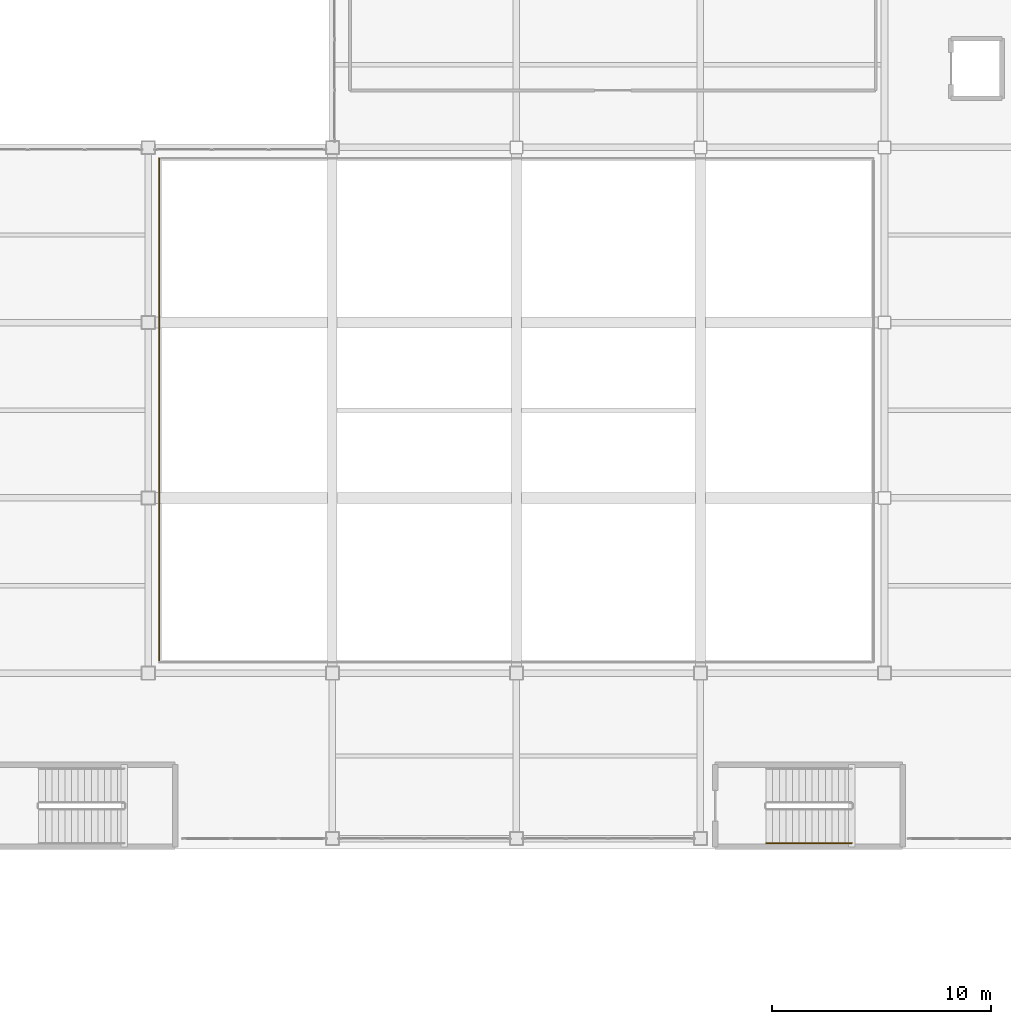
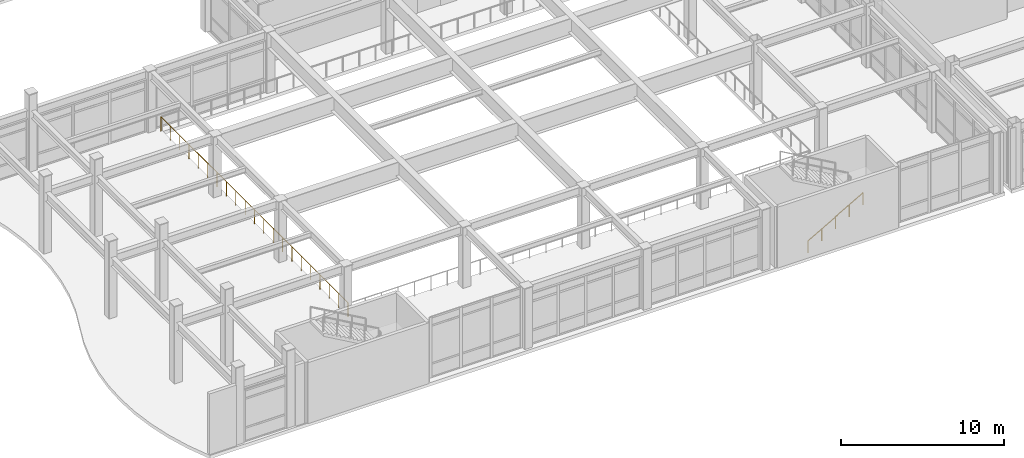
# One storey, part 154 of 172: 2 railings.
"""IFC4 building model written with IfcOpenShell, lengths in metres."""

from ifc_helpers import new_model, si_unit, direction, frame, origin, origin_2d, place, context, subcontext, project, spatial, circle, extrude, material, type_object, element, save


model = new_model("IFC4")

# Units and contexts
model_context = context("Model", 3, precision=1e-05, world=origin(), true_north=direction((0.0, 1.0)))
body_context = subcontext(model_context, "Body", "Model", "MODEL_VIEW")
ifc_project = project(units=[si_unit("LENGTHUNIT", "METRE"), si_unit("AREAUNIT", "SQUARE_METRE"), si_unit("VOLUMEUNIT", "CUBIC_METRE"), si_unit("PLANEANGLEUNIT", "RADIAN"), si_unit("MASSUNIT", "GRAM", prefix="KILO")], contexts=[model_context])

# Site, building, storey
site_placement = place(None, origin())
site = spatial("IfcSite", under=ifc_project, at=site_placement, CompositionType="ELEMENT")
building_placement = place(site_placement, origin())
building = spatial("IfcBuilding", under=site, at=building_placement, Name="Kazehara Bluff Congress Hotel", CompositionType="ELEMENT")
storey_placement = place(building_placement, frame((0.0, 0.0, 5.39990234375)))
storey = spatial("IfcBuildingStorey", under=building, at=storey_placement, Name="L01", CompositionType="ELEMENT", Elevation=5.39990234375)

# Railings
ifc_material_1 = material(Name="Brushed stainless steel", Category="steel")
railing_type_1 = type_object("IfcRailingType", Name="TP-GRD-INT", PredefinedType="GUARDRAIL", material=ifc_material_1)
railing_1_placement = place(storey_placement, frame((17.300048828125, 31.5, 0.0)))
element("IfcRailing", 1, at=railing_1_placement, inside=storey, type_object=railing_type_1, Name="L01 V2-VOID void guardrail W", PredefinedType="GUARDRAIL", context=body_context, shape_type="SweptSolid", body=[
    extrude(circle(Radius=0.02392578125, at=origin_2d()), frame((0.0, 0.0, 1.076171875), z_axis=(0.0, -1.0, 0.0), x_axis=(1.0, 0.0, 0.0)), (0.0, 0.0, 1.0), 22.919921875),
    extrude(circle(Radius=0.02099609375, at=origin_2d()), origin(), (0.0, 0.0, 1.0), 1.052001953125),
    extrude(circle(Radius=0.02099609375, at=origin_2d()), frame((0.0, -1.14599609375, 0.0)), (0.0, 0.0, 1.0), 1.052001953125),
    extrude(circle(Radius=0.02099609375, at=origin_2d()), frame((0.0, -2.2919921875, 0.0)), (0.0, 0.0, 1.0), 1.052001953125),
    extrude(circle(Radius=0.02099609375, at=origin_2d()), frame((0.0, -3.43798828125, 0.0)), (0.0, 0.0, 1.0), 1.052001953125),
    extrude(circle(Radius=0.02099609375, at=origin_2d()), frame((0.0, -4.583984375, 0.0)), (0.0, 0.0, 1.0), 1.052001953125),
    extrude(circle(Radius=0.02099609375, at=origin_2d()), frame((0.0, -5.72998046875, 0.0)), (0.0, 0.0, 1.0), 1.052001953125),
    extrude(circle(Radius=0.02099609375, at=origin_2d()), frame((0.0, -6.8759765625, 0.0)), (0.0, 0.0, 1.0), 1.052001953125),
    extrude(circle(Radius=0.02099609375, at=origin_2d()), frame((0.0, -8.02197265625, 0.0)), (0.0, 0.0, 1.0), 1.052001953125),
    extrude(circle(Radius=0.02099609375, at=origin_2d()), frame((0.0, -9.16796875, 0.0)), (0.0, 0.0, 1.0), 1.052001953125),
    extrude(circle(Radius=0.02099609375, at=origin_2d()), frame((0.0, -10.31396484375, 0.0)), (0.0, 0.0, 1.0), 1.052001953125),
    extrude(circle(Radius=0.02099609375, at=origin_2d()), frame((0.0, -11.4599609375, 0.0)), (0.0, 0.0, 1.0), 1.052001953125),
    extrude(circle(Radius=0.02099609375, at=origin_2d()), frame((0.0, -12.60595703125, 0.0)), (0.0, 0.0, 1.0), 1.052001953125),
    extrude(circle(Radius=0.02099609375, at=origin_2d()), frame((0.0, -13.751953125, 0.0)), (0.0, 0.0, 1.0), 1.052001953125),
    extrude(circle(Radius=0.02099609375, at=origin_2d()), frame((0.0, -14.89794921875, 0.0)), (0.0, 0.0, 1.0), 1.052001953125),
    extrude(circle(Radius=0.02099609375, at=origin_2d()), frame((0.0, -16.0439453125, 0.0)), (0.0, 0.0, 1.0), 1.052001953125),
    extrude(circle(Radius=0.02099609375, at=origin_2d()), frame((0.0, -17.18994140625, 0.0)), (0.0, 0.0, 1.0), 1.052001953125),
    extrude(circle(Radius=0.02099609375, at=origin_2d()), frame((0.0, -18.3359375, 0.0)), (0.0, 0.0, 1.0), 1.052001953125),
    extrude(circle(Radius=0.02099609375, at=origin_2d()), frame((0.0, -19.48193359375, 0.0)), (0.0, 0.0, 1.0), 1.052001953125),
    extrude(circle(Radius=0.02099609375, at=origin_2d()), frame((0.0, -20.6279296875, 0.0)), (0.0, 0.0, 1.0), 1.052001953125),
    extrude(circle(Radius=0.02099609375, at=origin_2d()), frame((0.0, -21.77392578125, 0.0)), (0.0, 0.0, 1.0), 1.052001953125),
    extrude(circle(Radius=0.02099609375, at=origin_2d()), frame((0.0, -22.919921875, 0.0)), (0.0, 0.0, 1.0), 1.052001953125),
])
ifc_material_2 = material(Name="Brushed stainless steel", Category="steel")
railing_type_2 = type_object("IfcRailingType", Name="TP-HR-INT", PredefinedType="HANDRAIL", material=ifc_material_2)
railing_2_placement = place(storey_placement, frame((45.0, 0.25, 0.171630859375)))
element("IfcRailing", 2, at=railing_2_placement, inside=storey, type_object=railing_type_2, Name="L01 ST-05 stair handrail 1", PredefinedType="HANDRAIL", context=body_context, shape_type="SweptSolid", body=[
    extrude(circle(Radius=0.02392578125, at=origin_2d()), frame((0.0, 0.0, 0.8759765625), z_axis=(0.868243142124, 0.0, 0.496138938357), x_axis=(0.0, 1.0, 0.0)), (0.0, 0.0, 1.0), 4.49169921875),
    extrude(circle(Radius=0.02099609375, at=origin_2d()), origin(), (0.0, 0.0, 1.0), 0.851806640625),
    extrude(circle(Radius=0.02099609375, at=origin_2d()), frame((0.97509765625, 0.0, 0.55712890625)), (0.0, 0.0, 1.0), 0.851806640625),
    extrude(circle(Radius=0.02099609375, at=origin_2d()), frame((1.949951171875, 0.0, 1.1142578125)), (0.0, 0.0, 1.0), 0.851806640625),
    extrude(circle(Radius=0.02099609375, at=origin_2d()), frame((2.9248046875, 0.0, 1.67138671875)), (0.0, 0.0, 1.0), 0.851806640625),
    extrude(circle(Radius=0.02099609375, at=origin_2d()), frame((3.89990234375, 0.0, 2.228515625)), (0.0, 0.0, 1.0), 0.851806640625),
])

save(model, "model.ifc")
